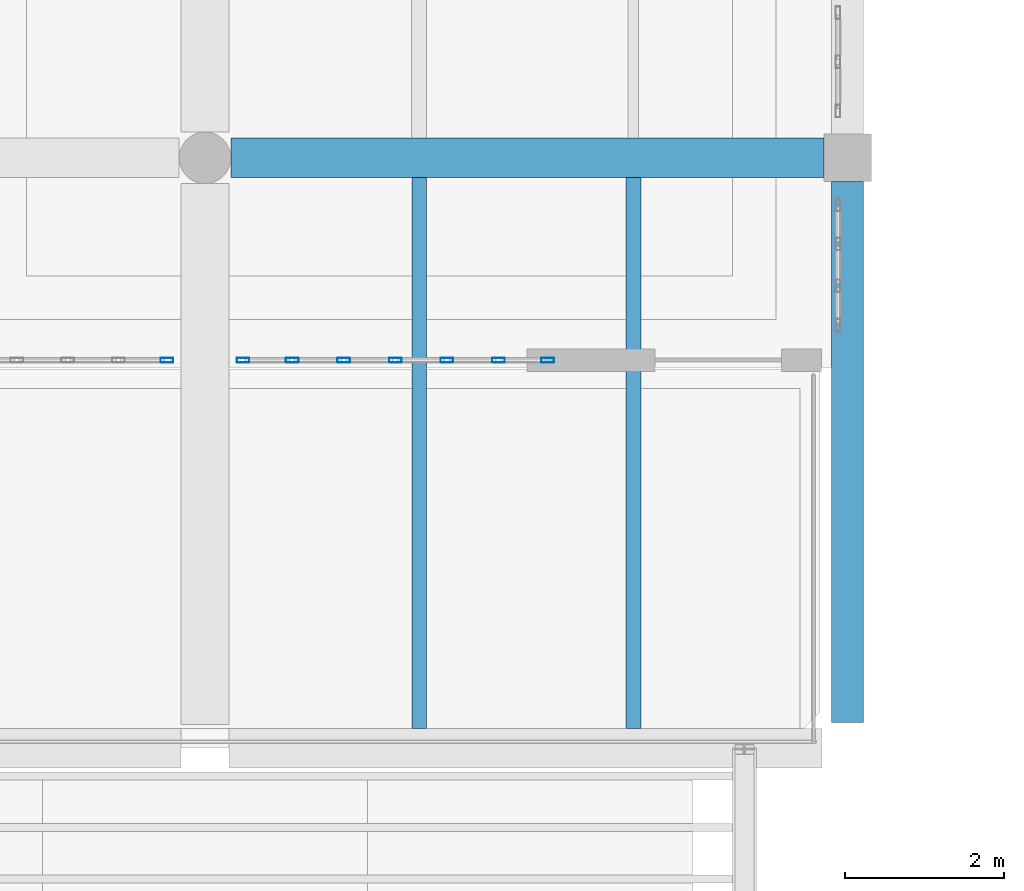
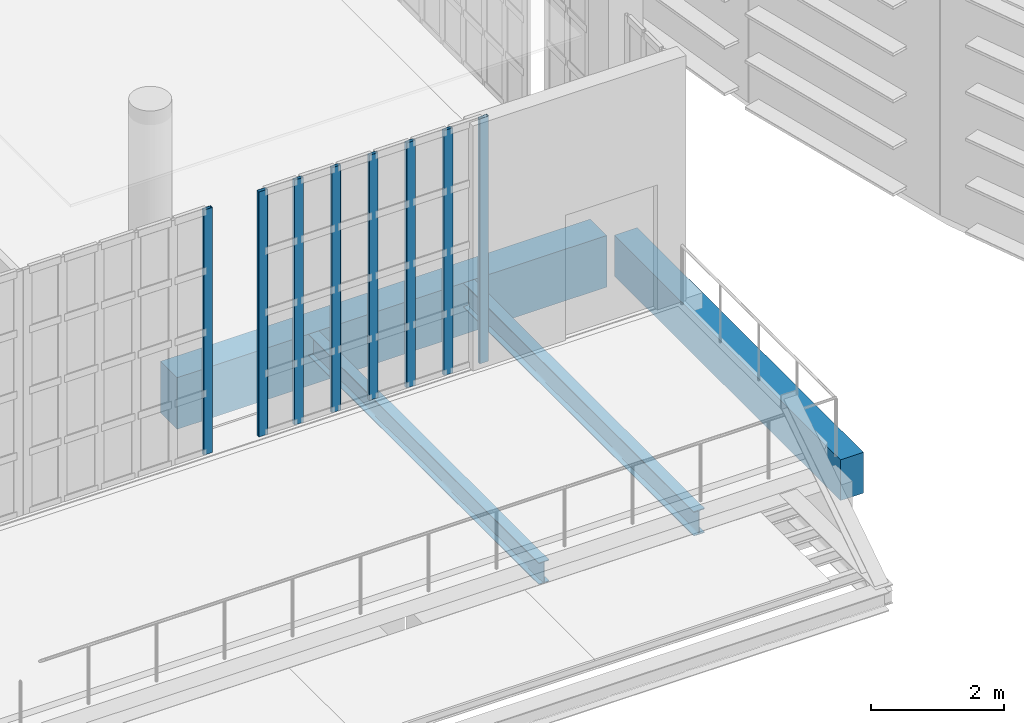
# One storey, part 23 of 104: 8 members, 4 beams, 2 elements without a shape of their own.
"""IFC4 building model written with IfcOpenShell, lengths in metres."""

from ifc_helpers import new_model, si_unit, direction, frame, origin, origin_2d, place, context, subcontext, project, spatial, rectangle, hollow_rectangle, i_section, extrude, material, material_profile, profile_set, type_object, element, aggregate, save


model = new_model("IFC4")

# Units and contexts
model_context = context("Model", 3, precision=1e-05, world=origin(), true_north=direction((0.0, 1.0)))
body_context = subcontext(model_context, "Body", "Model", "MODEL_VIEW")
ifc_project = project(units=[si_unit("LENGTHUNIT", "METRE"), si_unit("AREAUNIT", "SQUARE_METRE"), si_unit("VOLUMEUNIT", "CUBIC_METRE"), si_unit("PLANEANGLEUNIT", "RADIAN"), si_unit("MASSUNIT", "GRAM", prefix="KILO")], contexts=[model_context])

# Site, building, storey
site_placement = place(None, origin())
site = spatial("IfcSite", under=ifc_project, at=site_placement, CompositionType="ELEMENT")
building_placement = place(site_placement, origin())
building = spatial("IfcBuilding", under=site, at=building_placement, Name="Kaelora Sail Theatre", CompositionType="ELEMENT")
storey_placement = place(building_placement, frame((0.0, 0.0, 5.39990234375)))
storey = spatial("IfcBuildingStorey", under=building, at=storey_placement, Name="L01", CompositionType="ELEMENT", Elevation=5.39990234375)

# Curtain wall, member
ifc_material_1 = material(Name="Anodised aluminium and solar-control low-E IGU", Category="aluminium")
curtain_wall_type = type_object("IfcCurtainWallType", Name="ARC-CW-CW-FOY2", PredefinedType="NOTDEFINED", material=ifc_material_1)
curtain_wall_1_placement = place(storey_placement, origin())
curtain_wall_1 = element("IfcCurtainWall", 1, at=curtain_wall_1_placement, inside=storey, type_object=curtain_wall_type, Name="West Interstitial Sail Foyer Curtain Wall L01-02", PredefinedType="NOTDEFINED")
ifc_material_2 = material(Name="Anodised aluminium 6063-T6", Category="aluminium")
ifc_material_profile_1 = material_profile(ifc_material_2, hollow_rectangle(XDim=0.06005859375, YDim=0.159912109375, WallThickness=0.00390625, InnerFilletRadius=0.00390625, OuterFilletRadius=0.008056640625, at=origin_2d()), Name="ALU-MULL 60x160x4")
ifc_profile_set_1 = profile_set([ifc_material_profile_1], Name="Anodised aluminium 6063-T6")
member_type = type_object("IfcMemberType", Name="ARC-MEM-ML-160", PredefinedType="MULLION", material=ifc_profile_set_1)
member_1_placement = place(storey_placement, frame((65.820068359375, 43.590087890625, 0.0), z_axis=(0.0, 0.0, 1.0), x_axis=(0.0, 1.0, 0.0)))
member_1 = element("IfcMember", 2, at=member_1_placement, type_object=member_type, Name="CW-FOY2 mullion 6", PredefinedType="MULLION", context=body_context, shape_type="SweptSolid", body=[
    extrude(hollow_rectangle(XDim=0.06005859375, YDim=0.159912109375, WallThickness=0.00390625, InnerFilletRadius=0.00390625, OuterFilletRadius=0.008056640625, at=origin_2d()), origin(), (0.0, 0.0, 1.0), 4.505126953125),
])
aggregate(curtain_wall_1, [member_1])

# Curtain wall, members
curtain_wall_2_placement = place(storey_placement, origin())
curtain_wall_2 = element("IfcCurtainWall", 3, at=curtain_wall_2_placement, inside=storey, type_object=curtain_wall_type, Name="West Interstitial Sail Foyer Curtain Wall L01-03", PredefinedType="NOTDEFINED")
member_2_placement = place(storey_placement, frame((66.780029296875, 43.590087890625, 0.0), z_axis=(0.0, 0.0, 1.0), x_axis=(0.0, 1.0, 0.0)))
member_2 = element("IfcMember", 4, at=member_2_placement, type_object=member_type, Name="CW-FOY2 mullion 1", PredefinedType="MULLION", context=body_context, shape_type="SweptSolid", body=[
    extrude(hollow_rectangle(XDim=0.06005859375, YDim=0.159912109375, WallThickness=0.00390625, InnerFilletRadius=0.00390625, OuterFilletRadius=0.008056640625, at=origin_2d()), origin(), (0.0, 0.0, 1.0), 4.505126953125),
])
member_3_placement = place(storey_placement, frame((67.39990234375, 43.590087890625, 0.0), z_axis=(0.0, 0.0, 1.0), x_axis=(0.0, 1.0, 0.0)))
member_3 = element("IfcMember", 5, at=member_3_placement, type_object=member_type, Name="CW-FOY2 mullion 2", PredefinedType="MULLION", context=body_context, shape_type="SweptSolid", body=[
    extrude(hollow_rectangle(XDim=0.06005859375, YDim=0.159912109375, WallThickness=0.00390625, InnerFilletRadius=0.00390625, OuterFilletRadius=0.008056640625, at=origin_2d()), origin(), (0.0, 0.0, 1.0), 4.505126953125),
])
member_4_placement = place(storey_placement, frame((68.050048828125, 43.590087890625, 0.0), z_axis=(0.0, 0.0, 1.0), x_axis=(0.0, 1.0, 0.0)))
member_4 = element("IfcMember", 6, at=member_4_placement, type_object=member_type, Name="CW-FOY2 mullion 3", PredefinedType="MULLION", context=body_context, shape_type="SweptSolid", body=[
    extrude(hollow_rectangle(XDim=0.06005859375, YDim=0.159912109375, WallThickness=0.00390625, InnerFilletRadius=0.00390625, OuterFilletRadius=0.008056640625, at=origin_2d()), origin(), (0.0, 0.0, 1.0), 4.505126953125),
])
member_5_placement = place(storey_placement, frame((68.699951171875, 43.590087890625, 0.0), z_axis=(0.0, 0.0, 1.0), x_axis=(0.0, 1.0, 0.0)))
member_5 = element("IfcMember", 7, at=member_5_placement, type_object=member_type, Name="CW-FOY2 mullion 4", PredefinedType="MULLION", context=body_context, shape_type="SweptSolid", body=[
    extrude(hollow_rectangle(XDim=0.06005859375, YDim=0.159912109375, WallThickness=0.00390625, InnerFilletRadius=0.00390625, OuterFilletRadius=0.008056640625, at=origin_2d()), origin(), (0.0, 0.0, 1.0), 4.505126953125),
])
member_6_placement = place(storey_placement, frame((69.35009765625, 43.590087890625, 0.0), z_axis=(0.0, 0.0, 1.0), x_axis=(0.0, 1.0, 0.0)))
member_6 = element("IfcMember", 8, at=member_6_placement, type_object=member_type, Name="CW-FOY2 mullion 5", PredefinedType="MULLION", context=body_context, shape_type="SweptSolid", body=[
    extrude(hollow_rectangle(XDim=0.06005859375, YDim=0.159912109375, WallThickness=0.00390625, InnerFilletRadius=0.00390625, OuterFilletRadius=0.008056640625, at=origin_2d()), origin(), (0.0, 0.0, 1.0), 4.505126953125),
])
member_7_placement = place(storey_placement, frame((70.0, 43.590087890625, 0.0), z_axis=(0.0, 0.0, 1.0), x_axis=(0.0, 1.0, 0.0)))
member_7 = element("IfcMember", 9, at=member_7_placement, type_object=member_type, Name="CW-FOY2 mullion 6", PredefinedType="MULLION", context=body_context, shape_type="SweptSolid", body=[
    extrude(hollow_rectangle(XDim=0.06005859375, YDim=0.159912109375, WallThickness=0.00390625, InnerFilletRadius=0.00390625, OuterFilletRadius=0.008056640625, at=origin_2d()), origin(), (0.0, 0.0, 1.0), 4.505126953125),
])
member_8_placement = place(storey_placement, frame((70.6201171875, 43.590087890625, 0.0), z_axis=(0.0, 0.0, 1.0), x_axis=(0.0, 1.0, 0.0)))
member_8 = element("IfcMember", 10, at=member_8_placement, type_object=member_type, Name="CW-FOY2 mullion 7", PredefinedType="MULLION", context=body_context, shape_type="SweptSolid", body=[
    extrude(hollow_rectangle(XDim=0.06005859375, YDim=0.159912109375, WallThickness=0.00390625, InnerFilletRadius=0.00390625, OuterFilletRadius=0.008056640625, at=origin_2d()), origin(), (0.0, 0.0, 1.0), 4.505126953125),
])
aggregate(curtain_wall_2, [member_2, member_3, member_4, member_5, member_6, member_7, member_8])

# Beams
ifc_material_3 = material(Name="Steel S355", Category="steel")
ifc_material_profile_2 = material_profile(ifc_material_3, i_section(OverallWidth=0.18994140625, OverallDepth=0.449951171875, WebThickness=0.009521484375, FlangeThickness=0.0146484375, FilletRadius=0.02099609375, at=origin_2d()), Name="IPE 450")
ifc_profile_set_2 = profile_set([ifc_material_profile_2], Name="Steel S355")
beam_type_1 = type_object("IfcBeamType", Name="STR-BM-BM-IPE450", PredefinedType="BEAM", material=ifc_profile_set_2)
beam_1_placement = place(storey_placement, frame((71.699951171875, 38.949951171875, -0.52001953125), z_axis=(0.0, 1.0, 0.0), x_axis=(-1.0, 0.0, 0.0)))
element("IfcBeam", 11, at=beam_1_placement, inside=storey, type_object=beam_type_1, Name="Secondary floor joist 9/F-2 (L01)", PredefinedType="BEAM", context=body_context, shape_type="SweptSolid", body=[
    extrude(i_section(OverallWidth=0.18994140625, OverallDepth=0.449951171875, WebThickness=0.009521484375, FlangeThickness=0.0146484375, FilletRadius=0.02099609375, at=origin_2d()), origin(), (0.0, 0.0, 1.0), 6.93994140625),
])
ifc_material_4 = material(Name="Concrete C40/50", Category="concrete")
ifc_material_profile_3 = material_profile(ifc_material_4, rectangle(XDim=0.39990234375, YDim=0.75, at=origin_2d()), Name="RC-BM 400x750")
ifc_profile_set_3 = profile_set([ifc_material_profile_3], Name="Concrete C40/50")
beam_type_2 = type_object("IfcBeamType", Name="STR-BM-BM-RC4075", PredefinedType="BEAM", material=ifc_profile_set_3)
beam_2_placement = place(storey_placement, frame((74.39990234375, 39.02490234375, -0.669921875), z_axis=(0.0, 1.0, 0.0), x_axis=(-1.0, 0.0, 0.0)))
element("IfcBeam", 12, at=beam_2_placement, inside=storey, type_object=beam_type_2, Name="Primary beam 10 F-G (L01)", PredefinedType="BEAM", context=body_context, shape_type="SweptSolid", body=[
    extrude(rectangle(XDim=0.39990234375, YDim=0.75, at=origin_2d()), origin(), (0.0, 0.0, 1.0), 6.815185546875),
])
ifc_material_5 = material(Name="Concrete C45/55", Category="concrete")
ifc_material_profile_4 = material_profile(ifc_material_5, rectangle(XDim=0.5, YDim=0.949951171875, at=origin_2d()), Name="RC-GRD 500x950")
ifc_profile_set_4 = profile_set([ifc_material_profile_4], Name="Concrete C45/55")
beam_type_3 = type_object("IfcBeamType", Name="STR-BM-GR-RC5095", PredefinedType="T_BEAM", material=ifc_profile_set_4)
beam_3_placement = place(storey_placement, frame((66.625, 46.139892578125, -0.77001953125), z_axis=(1.0, 0.0, 0.0), x_axis=(0.0, 1.0, 0.0)))
element("IfcBeam", 13, at=beam_3_placement, inside=storey, type_object=beam_type_3, Name="Primary beam G 9-10 (L01)", PredefinedType="T_BEAM", context=body_context, shape_type="SweptSolid", body=[
    extrude(rectangle(XDim=0.5, YDim=0.949951171875, at=origin_2d()), origin(), (0.0, 0.0, 1.0), 7.47509765625),
])
ifc_material_6 = material(Name="Steel S355", Category="steel")
ifc_material_profile_5 = material_profile(ifc_material_6, i_section(OverallWidth=0.179931640625, OverallDepth=0.39990234375, WebThickness=0.008544921875, FlangeThickness=0.013427734375, FilletRadius=0.02099609375, at=origin_2d()), Name="IPE 400")
ifc_profile_set_5 = profile_set([ifc_material_profile_5], Name="Steel S355")
beam_type_4 = type_object("IfcBeamType", Name="STR-BM-JS-IPE400", PredefinedType="JOIST", material=ifc_profile_set_5)
beam_4_placement = place(storey_placement, frame((69.0, 38.949951171875, -0.494873046875), z_axis=(0.0, 1.0, 0.0), x_axis=(-1.0, 0.0, 0.0)))
element("IfcBeam", 14, at=beam_4_placement, inside=storey, type_object=beam_type_4, Name="Secondary floor joist 9/F-1 (L01)", PredefinedType="JOIST", context=body_context, shape_type="SweptSolid", body=[
    extrude(i_section(OverallWidth=0.179931640625, OverallDepth=0.39990234375, WebThickness=0.008544921875, FlangeThickness=0.013427734375, FilletRadius=0.02099609375, at=origin_2d()), origin(), (0.0, 0.0, 1.0), 6.93994140625),
])

save(model, "model.ifc")
